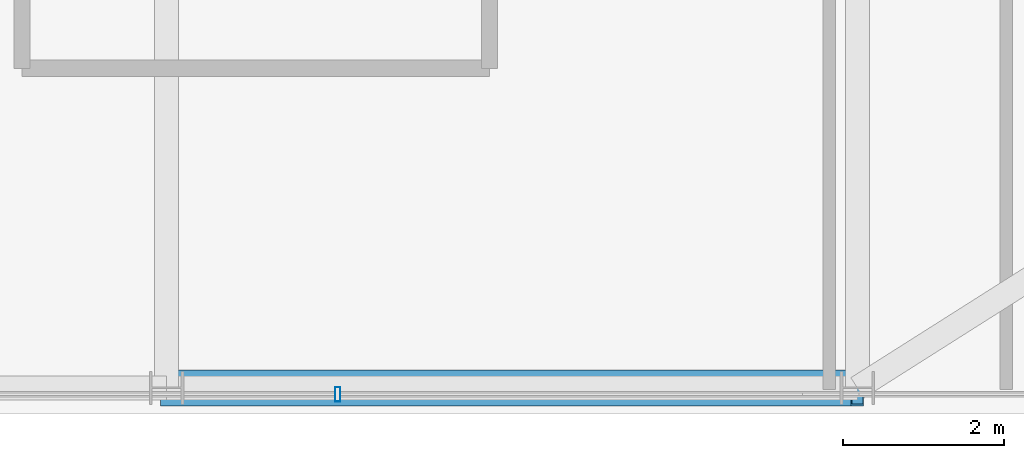
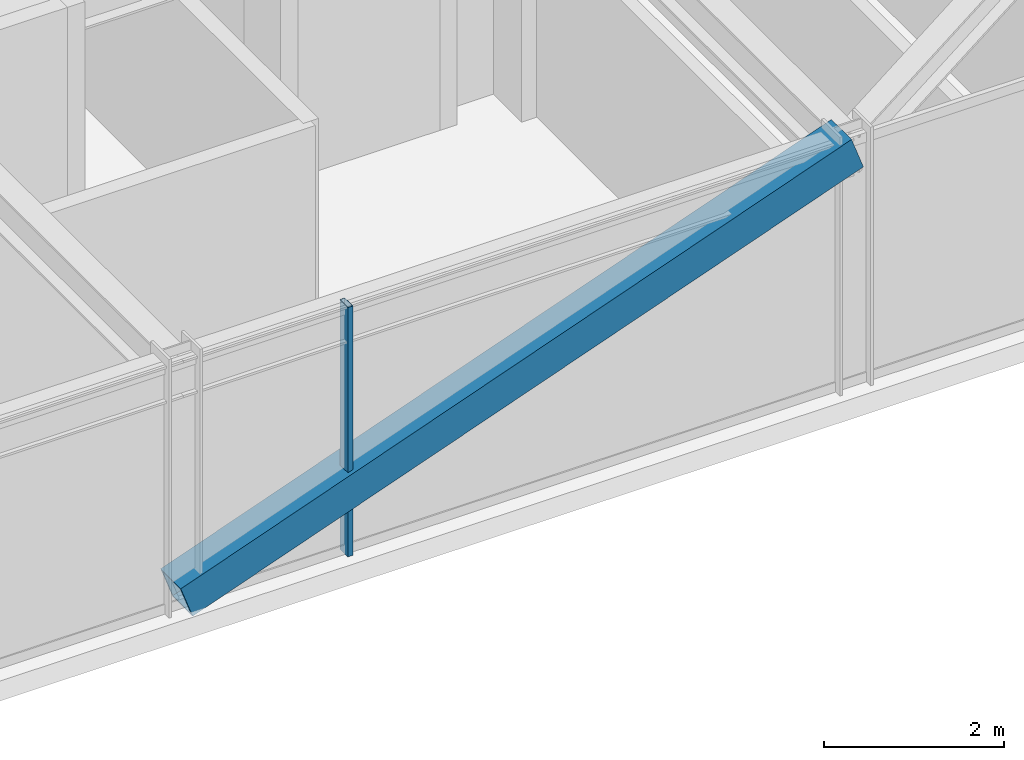
# One storey, part 10 of 39: 2 members, 1 element without a shape of its own.
"""IFC4 building model written with IfcOpenShell, lengths in metres."""

from ifc_helpers import new_model, si_unit, direction, frame, origin, origin_2d, place, context, subcontext, project, spatial, hollow_rectangle, extrude, source, transform, mapped, material, material_profile, profile_set, type_object, element, aggregate, save


model = new_model("IFC4")

# Units and contexts
model_context = context("Model", 3, precision=1e-05, world=origin(), true_north=direction((0.0, 1.0)))
body_context = subcontext(model_context, "Body", "Model", "MODEL_VIEW")
ifc_project = project(units=[si_unit("LENGTHUNIT", "METRE"), si_unit("AREAUNIT", "SQUARE_METRE"), si_unit("VOLUMEUNIT", "CUBIC_METRE"), si_unit("PLANEANGLEUNIT", "RADIAN"), si_unit("MASSUNIT", "GRAM", prefix="KILO")], contexts=[model_context])

# Site, building, storey
site_placement = place(None, origin())
site = spatial("IfcSite", under=ifc_project, at=site_placement, CompositionType="ELEMENT")
building_placement = place(site_placement, origin())
building = spatial("IfcBuilding", under=site, at=building_placement, Name="Nahalor Promenade Grand Hotel", CompositionType="ELEMENT")
storey_placement = place(building_placement, frame((0.0, 0.0, 135.75)))
storey = spatial("IfcBuildingStorey", under=building, at=storey_placement, Name="L34", CompositionType="ELEMENT", Elevation=135.75)

# Member
ifc_material_1 = material(Name="Steel S355J2", Category="steel")
ifc_material_profile_1 = material_profile(ifc_material_1, hollow_rectangle(XDim=0.45, YDim=0.45, WallThickness=0.025, at=origin_2d()), Name="SHS 450x450x25")
ifc_profile_set_1 = profile_set([ifc_material_profile_1], Name="Steel S355J2")
member_type_1 = type_object("IfcMemberType", Name="Mem-ExoBrace-SHS450", PredefinedType="BRACE", material=ifc_profile_set_1)
shared_shape_1 = source(origin(), body_context, "Body", "SweptSolid", [
    extrude(hollow_rectangle(XDim=0.45, YDim=0.45, WallThickness=0.025, at=origin_2d()), origin(), (0.0, 0.0, 1.0), 9.135009765625),
])
member_1_placement = place(storey_placement, frame((8.39990234375, -23.780029296875, 0.14990234375), z_axis=(0.941442840152, 0.0, 0.337172624521), x_axis=(0.0, 1.0, 0.0)))
element("IfcMember", 1, at=member_1_placement, inside=storey, type_object=member_type_1, Name="EXO-L34-S-1", PredefinedType="BRACE", context=body_context, shape_type="MappedRepresentation", body=[
    mapped(shared_shape_1, transform((0.0, 0.0, 0.0), scale=1.0)),
])

# Curtain wall, member
ifc_material_2 = material(Name="Anodised Bronze Aluminium EN AW-6063 T6", Category="aluminium")
curtain_wall_type = type_object("IfcCurtainWallType", Name="CW2 Typical Hotel Flush Bronze Unitised Curtain Wall", PredefinedType="USERDEFINED", material=ifc_material_2)
curtain_wall_placement = place(storey_placement, origin())
curtain_wall = element("IfcCurtainWall", 2, at=curtain_wall_placement, inside=storey, type_object=curtain_wall_type, Name="L34 Curtain Wall CW-L34-S-1", ObjectType="UNITISED_CURTAIN_WALL", PredefinedType="USERDEFINED")
ifc_material_profile_2 = material_profile(ifc_material_2, hollow_rectangle(XDim=0.065, YDim=0.18, WallThickness=0.004, at=origin_2d()), Name="CWM 65x180x4")
ifc_profile_set_2 = profile_set([ifc_material_profile_2], Name="Anodised Bronze Aluminium EN AW-6063 T6")
member_type_2 = type_object("IfcMemberType", Name="CWM2 Typical Bronze Mullion 65x180", PredefinedType="MULLION", material=ifc_profile_set_2)
shared_shape_2 = source(origin(), body_context, "Body", "SweptSolid", [
    extrude(hollow_rectangle(XDim=0.065, YDim=0.18, WallThickness=0.004, at=origin_2d()), origin(), (0.0, 0.0, 1.0), 3.3798828125),
])
member_2_placement = place(storey_placement, frame((10.530029296875, -23.860107421875, 0.0), z_axis=(0.0, 0.0, 1.0), x_axis=(1.0, 0.0, 0.0)))
member_2 = element("IfcMember", 3, at=member_2_placement, type_object=member_type_2, Name="CW-L34-S-1 Mullion 3", PredefinedType="MULLION", context=body_context, shape_type="MappedRepresentation", body=[
    mapped(shared_shape_2, transform((0.0, 0.0, 0.0), scale=1.0)),
])
aggregate(curtain_wall, [member_2])

save(model, "model.ifc")
